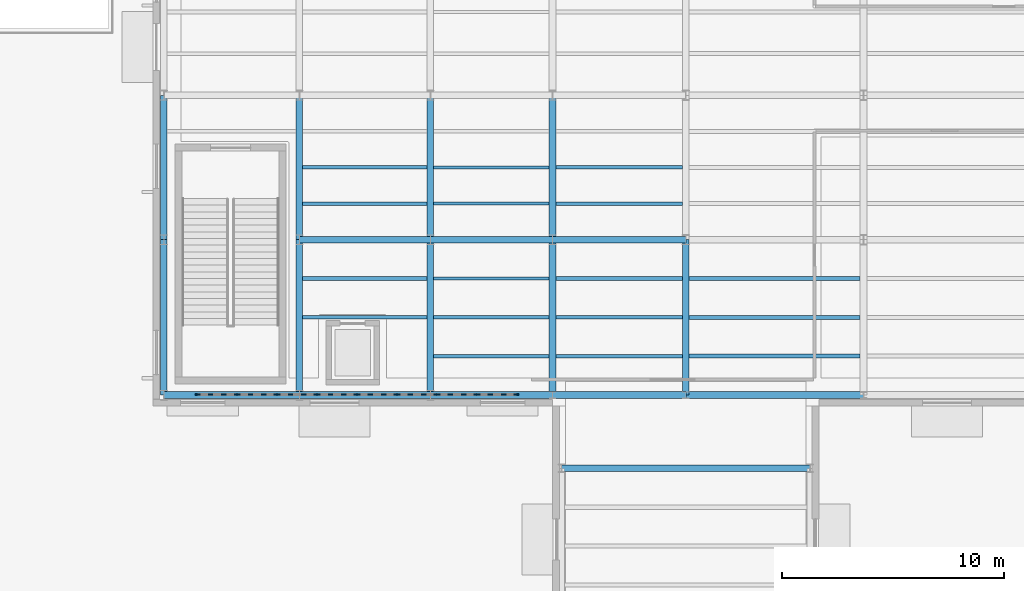
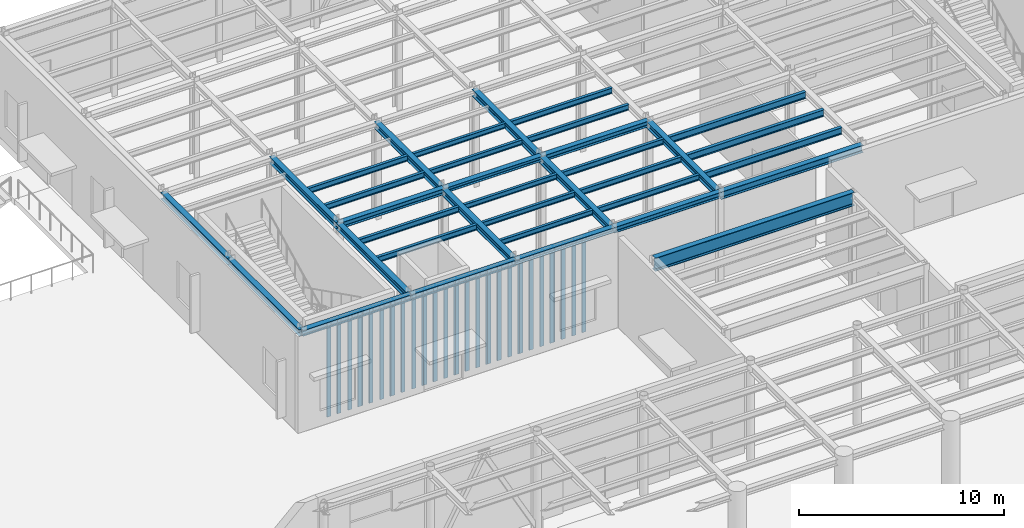
# One storey, part 32 of 118: 35 beams, 32 members, 8 elements without a shape of their own.
"""IFC4 building model written with IfcOpenShell, lengths in metres."""

from ifc_helpers import new_model, si_unit, direction, frame, origin, origin_2d, place, context, subcontext, project, spatial, rectangle, i_section, extrude, material, material_profile, profile_set, type_object, element, aggregate, save


model = new_model("IFC4")

# Units and contexts
model_context = context("Model", 3, precision=1e-05, world=origin(), true_north=direction((0.0, 1.0)))
body_context = subcontext(model_context, "Body", "Model", "MODEL_VIEW")
ifc_project = project(units=[si_unit("LENGTHUNIT", "METRE"), si_unit("AREAUNIT", "SQUARE_METRE"), si_unit("VOLUMEUNIT", "CUBIC_METRE"), si_unit("PLANEANGLEUNIT", "RADIAN"), si_unit("MASSUNIT", "GRAM", prefix="KILO")], contexts=[model_context])

# Site, building, storey
site_placement = place(None, origin())
site = spatial("IfcSite", under=ifc_project, at=site_placement, CompositionType="ELEMENT")
building_placement = place(site_placement, origin())
building = spatial("IfcBuilding", under=site, at=building_placement, Name="Kolvaren Corner Interchange", CompositionType="ELEMENT")
storey_placement = place(building_placement, origin())
storey = spatial("IfcBuildingStorey", under=building, at=storey_placement, Name="L01", CompositionType="ELEMENT", Elevation=0.0)

# Beams
ifc_material_1 = material(Name="Steel S355", Category="steel")
ifc_material_profile_1 = material_profile(ifc_material_1, i_section(OverallWidth=0.300048828125, OverallDepth=0.2900390625, WebThickness=0.008544921875, FlangeThickness=0.013916015625, FilletRadius=0.027099609375, at=origin_2d()), Name="HEA 300")
ifc_profile_set_1 = profile_set([ifc_material_profile_1], Name="Steel S355")
beam_type_1 = type_object("IfcBeamType", Name="BM-HEA300", PredefinedType="BEAM", material=ifc_profile_set_1)
for number, where, z_axis, x_axis, name in (
    (1, (78.5, 84.5, 5.594970703125), (1.0, 0.0, 0.0), (0.0, 1.0, 0.0), "Storey L01 Grid X Primary Girder 0417"),
    (2, (78.5, 91.5, 5.594970703125), (1.0, 0.0, 0.0), (0.0, 1.0, 0.0), "Storey L01 Grid X Primary Girder 0423"),
):
    element("IfcBeam", number, at=place(storey_placement, frame(where, z_axis=z_axis, x_axis=x_axis)), inside=storey, type_object=beam_type_1, Name=name, PredefinedType="BEAM", context=body_context, shape_type="SweptSolid", body=[
        extrude(i_section(OverallWidth=0.300048828125, OverallDepth=0.2900390625, WebThickness=0.008544921875, FlangeThickness=0.013916015625, FilletRadius=0.027099609375, at=origin_2d()), origin(), (0.0, 0.0, 1.0), 5.5),
    ])
ifc_material_2 = material(Name="Steel S355", Category="steel")
ifc_material_profile_2 = material_profile(ifc_material_2, i_section(OverallWidth=0.300048828125, OverallDepth=0.35009765625, WebThickness=0.010009765625, FlangeThickness=0.017578125, FilletRadius=0.027099609375, at=origin_2d()), Name="HEA 360")
ifc_profile_set_2 = profile_set([ifc_material_profile_2], Name="Steel S355")
beam_type_2 = type_object("IfcBeamType", Name="BM-HEA360", PredefinedType="BEAM", material=ifc_profile_set_2)
beam_1_placement = place(storey_placement, frame((66.5, 84.5, 5.56494140625), z_axis=(1.0, 0.0, 0.0), x_axis=(0.0, 1.0, 0.0)))
element("IfcBeam", 3, at=beam_1_placement, inside=storey, type_object=beam_type_2, Name="Storey L01 Grid X Primary Girder 0415", PredefinedType="BEAM", context=body_context, shape_type="SweptSolid", body=[
    extrude(i_section(OverallWidth=0.300048828125, OverallDepth=0.35009765625, WebThickness=0.010009765625, FlangeThickness=0.017578125, FilletRadius=0.027099609375, at=origin_2d()), origin(), (0.0, 0.0, 1.0), 6.10009765625),
])
beam_2_placement = place(storey_placement, frame((72.60009765625, 84.5, 5.56494140625), z_axis=(1.0, 0.0, 0.0), x_axis=(0.0, 1.0, 0.0)))
element("IfcBeam", 4, at=beam_2_placement, inside=storey, type_object=beam_type_2, Name="Storey L01 Grid X Primary Girder 0416", PredefinedType="BEAM", context=body_context, shape_type="SweptSolid", body=[
    extrude(i_section(OverallWidth=0.300048828125, OverallDepth=0.35009765625, WebThickness=0.010009765625, FlangeThickness=0.017578125, FilletRadius=0.027099609375, at=origin_2d()), origin(), (0.0, 0.0, 1.0), 5.89990234375),
])
beam_3_placement = place(storey_placement, frame((84.0, 84.5, 5.56494140625), z_axis=(1.0, 0.0, 0.0), x_axis=(0.0, 1.0, 0.0)))
element("IfcBeam", 5, at=beam_3_placement, inside=storey, type_object=beam_type_2, Name="Storey L01 Grid X Primary Girder 0418", PredefinedType="BEAM", context=body_context, shape_type="SweptSolid", body=[
    extrude(i_section(OverallWidth=0.300048828125, OverallDepth=0.35009765625, WebThickness=0.010009765625, FlangeThickness=0.017578125, FilletRadius=0.027099609375, at=origin_2d()), origin(), (0.0, 0.0, 1.0), 6.0),
])
beam_4_placement = place(storey_placement, frame((72.60009765625, 91.5, 5.56494140625), z_axis=(1.0, 0.0, 0.0), x_axis=(0.0, 1.0, 0.0)))
element("IfcBeam", 6, at=beam_4_placement, inside=storey, type_object=beam_type_2, Name="Storey L01 Grid X Primary Girder 0422", PredefinedType="BEAM", context=body_context, shape_type="SweptSolid", body=[
    extrude(i_section(OverallWidth=0.300048828125, OverallDepth=0.35009765625, WebThickness=0.010009765625, FlangeThickness=0.017578125, FilletRadius=0.027099609375, at=origin_2d()), origin(), (0.0, 0.0, 1.0), 5.89990234375),
])
beam_5_placement = place(storey_placement, frame((84.0, 91.5, 5.56494140625), z_axis=(1.0, 0.0, 0.0), x_axis=(0.0, 1.0, 0.0)))
element("IfcBeam", 7, at=beam_5_placement, inside=storey, type_object=beam_type_2, Name="Storey L01 Grid X Primary Girder 0424", PredefinedType="BEAM", context=body_context, shape_type="SweptSolid", body=[
    extrude(i_section(OverallWidth=0.300048828125, OverallDepth=0.35009765625, WebThickness=0.010009765625, FlangeThickness=0.017578125, FilletRadius=0.027099609375, at=origin_2d()), origin(), (0.0, 0.0, 1.0), 6.0),
])
ifc_material_3 = material(Name="Steel S355", Category="steel")
ifc_material_profile_3 = material_profile(ifc_material_3, i_section(OverallWidth=0.300048828125, OverallDepth=0.389892578125, WebThickness=0.010986328125, FlangeThickness=0.01904296875, FilletRadius=0.027099609375, at=origin_2d()), Name="HEA 400")
ifc_profile_set_3 = profile_set([ifc_material_profile_3], Name="Steel S355")
beam_type_3 = type_object("IfcBeamType", Name="BM-HEA400", PredefinedType="BEAM", material=ifc_profile_set_3)
beam_6_placement = place(storey_placement, frame((66.5, 84.5, 5.544921875), z_axis=(0.0, 1.0, 0.0), x_axis=(-1.0, 0.0, 0.0)))
element("IfcBeam", 8, at=beam_6_placement, inside=storey, type_object=beam_type_3, Name="Storey L01 Grid Y Primary Girder 0494", PredefinedType="BEAM", context=body_context, shape_type="SweptSolid", body=[
    extrude(i_section(OverallWidth=0.300048828125, OverallDepth=0.389892578125, WebThickness=0.010986328125, FlangeThickness=0.01904296875, FilletRadius=0.027099609375, at=origin_2d()), origin(), (0.0, 0.0, 1.0), 7.0),
])
beam_7_placement = place(storey_placement, frame((66.5, 91.5, 5.544921875), z_axis=(0.0, 1.0, 0.0), x_axis=(-1.0, 0.0, 0.0)))
element("IfcBeam", 9, at=beam_7_placement, inside=storey, type_object=beam_type_3, Name="Storey L01 Grid Y Primary Girder 0495", PredefinedType="BEAM", context=body_context, shape_type="SweptSolid", body=[
    extrude(i_section(OverallWidth=0.300048828125, OverallDepth=0.389892578125, WebThickness=0.010986328125, FlangeThickness=0.01904296875, FilletRadius=0.027099609375, at=origin_2d()), origin(), (0.0, 0.0, 1.0), 6.5),
])
beam_8_placement = place(storey_placement, frame((72.60009765625, 84.5, 5.544921875), z_axis=(0.0, 1.0, 0.0), x_axis=(-1.0, 0.0, 0.0)))
element("IfcBeam", 10, at=beam_8_placement, inside=storey, type_object=beam_type_3, Name="Storey L01 Grid Y Primary Girder 0498", PredefinedType="BEAM", context=body_context, shape_type="SweptSolid", body=[
    extrude(i_section(OverallWidth=0.300048828125, OverallDepth=0.389892578125, WebThickness=0.010986328125, FlangeThickness=0.01904296875, FilletRadius=0.027099609375, at=origin_2d()), origin(), (0.0, 0.0, 1.0), 7.0),
])
beam_9_placement = place(storey_placement, frame((72.60009765625, 91.5, 5.544921875), z_axis=(0.0, 1.0, 0.0), x_axis=(-1.0, 0.0, 0.0)))
element("IfcBeam", 11, at=beam_9_placement, inside=storey, type_object=beam_type_3, Name="Storey L01 Grid Y Primary Girder 0499", PredefinedType="BEAM", context=body_context, shape_type="SweptSolid", body=[
    extrude(i_section(OverallWidth=0.300048828125, OverallDepth=0.389892578125, WebThickness=0.010986328125, FlangeThickness=0.01904296875, FilletRadius=0.027099609375, at=origin_2d()), origin(), (0.0, 0.0, 1.0), 6.5),
])
beam_10_placement = place(storey_placement, frame((78.5, 84.5, 5.544921875), z_axis=(0.0, 1.0, 0.0), x_axis=(-1.0, 0.0, 0.0)))
element("IfcBeam", 12, at=beam_10_placement, inside=storey, type_object=beam_type_3, Name="Storey L01 Grid Y Primary Girder 0502", PredefinedType="BEAM", context=body_context, shape_type="SweptSolid", body=[
    extrude(i_section(OverallWidth=0.300048828125, OverallDepth=0.389892578125, WebThickness=0.010986328125, FlangeThickness=0.01904296875, FilletRadius=0.027099609375, at=origin_2d()), origin(), (0.0, 0.0, 1.0), 7.0),
])
beam_11_placement = place(storey_placement, frame((78.5, 91.5, 5.544921875), z_axis=(0.0, 1.0, 0.0), x_axis=(-1.0, 0.0, 0.0)))
element("IfcBeam", 13, at=beam_11_placement, inside=storey, type_object=beam_type_3, Name="Storey L01 Grid Y Primary Girder 0503", PredefinedType="BEAM", context=body_context, shape_type="SweptSolid", body=[
    extrude(i_section(OverallWidth=0.300048828125, OverallDepth=0.389892578125, WebThickness=0.010986328125, FlangeThickness=0.01904296875, FilletRadius=0.027099609375, at=origin_2d()), origin(), (0.0, 0.0, 1.0), 6.5),
])
beam_12_placement = place(storey_placement, frame((84.0, 84.5, 5.544921875), z_axis=(0.0, 1.0, 0.0), x_axis=(-1.0, 0.0, 0.0)))
element("IfcBeam", 14, at=beam_12_placement, inside=storey, type_object=beam_type_3, Name="Storey L01 Grid Y Primary Girder 0506", PredefinedType="BEAM", context=body_context, shape_type="SweptSolid", body=[
    extrude(i_section(OverallWidth=0.300048828125, OverallDepth=0.389892578125, WebThickness=0.010986328125, FlangeThickness=0.01904296875, FilletRadius=0.027099609375, at=origin_2d()), origin(), (0.0, 0.0, 1.0), 7.0),
])
beam_13_placement = place(storey_placement, frame((84.0, 91.5, 5.544921875), z_axis=(0.0, 1.0, 0.0), x_axis=(-1.0, 0.0, 0.0)))
element("IfcBeam", 15, at=beam_13_placement, inside=storey, type_object=beam_type_3, Name="Storey L01 Grid Y Primary Girder 0507", PredefinedType="BEAM", context=body_context, shape_type="SweptSolid", body=[
    extrude(i_section(OverallWidth=0.300048828125, OverallDepth=0.389892578125, WebThickness=0.010986328125, FlangeThickness=0.01904296875, FilletRadius=0.027099609375, at=origin_2d()), origin(), (0.0, 0.0, 1.0), 6.5),
])
beam_14_placement = place(storey_placement, frame((90.0, 84.5, 5.544921875), z_axis=(0.0, 1.0, 0.0), x_axis=(-1.0, 0.0, 0.0)))
element("IfcBeam", 16, at=beam_14_placement, inside=storey, type_object=beam_type_3, Name="Storey L01 Grid Y Primary Girder 0511", PredefinedType="BEAM", context=body_context, shape_type="SweptSolid", body=[
    extrude(i_section(OverallWidth=0.300048828125, OverallDepth=0.389892578125, WebThickness=0.010986328125, FlangeThickness=0.01904296875, FilletRadius=0.027099609375, at=origin_2d()), origin(), (0.0, 0.0, 1.0), 7.0),
])
ifc_material_4 = material(Name="Steel S355", Category="steel")
ifc_material_profile_4 = material_profile(ifc_material_4, i_section(OverallWidth=0.300048828125, OverallDepth=0.43994140625, WebThickness=0.011474609375, FlangeThickness=0.02099609375, FilletRadius=0.027099609375, at=origin_2d()), Name="HEA 450")
ifc_profile_set_4 = profile_set([ifc_material_profile_4], Name="Steel S355")
beam_type_4 = type_object("IfcBeamType", Name="BM-HEA450", PredefinedType="BEAM", material=ifc_profile_set_4)
beam_15_placement = place(storey_placement, frame((90.0, 84.5, 5.52001953125), z_axis=(1.0, 0.0, 0.0), x_axis=(0.0, 1.0, 0.0)))
element("IfcBeam", 17, at=beam_15_placement, inside=storey, type_object=beam_type_4, Name="Storey L01 Grid X Primary Girder 0419", PredefinedType="BEAM", context=body_context, shape_type="SweptSolid", body=[
    extrude(i_section(OverallWidth=0.300048828125, OverallDepth=0.43994140625, WebThickness=0.011474609375, FlangeThickness=0.02099609375, FilletRadius=0.027099609375, at=origin_2d()), origin(), (0.0, 0.0, 1.0), 8.0),
])
ifc_material_5 = material(Name="Steel S355", Category="steel")
ifc_material_profile_5 = material_profile(ifc_material_5, i_section(OverallWidth=0.300048828125, OverallDepth=0.800048828125, WebThickness=0.017578125, FlangeThickness=0.032958984375, FilletRadius=0.030029296875, at=origin_2d()), Name="HEB 800")
ifc_profile_set_5 = profile_set([ifc_material_profile_5], Name="Steel S355")
beam_type_5 = type_object("IfcBeamType", Name="BM-HEB800", PredefinedType="BEAM", material=ifc_profile_set_5)
beam_16_placement = place(storey_placement, frame((84.39990234375, 81.199951171875, 5.3798828125), z_axis=(1.0, 0.0, 0.0), x_axis=(0.0, 1.0, 0.0)))
element("IfcBeam", 18, at=beam_16_placement, inside=storey, type_object=beam_type_5, Name="Storey L01 Grid X Primary Girder 0410", PredefinedType="BEAM", context=body_context, shape_type="SweptSolid", body=[
    extrude(i_section(OverallWidth=0.300048828125, OverallDepth=0.800048828125, WebThickness=0.017578125, FlangeThickness=0.032958984375, FilletRadius=0.030029296875, at=origin_2d()), origin(), (0.0, 0.0, 1.0), 11.2001953125),
])
ifc_material_6 = material(Name="Steel S355", Category="steel")
ifc_material_profile_6 = material_profile(ifc_material_6, i_section(OverallWidth=0.14990234375, OverallDepth=0.300048828125, WebThickness=0.007080078125, FlangeThickness=0.0107421875, FilletRadius=0.014892578125, at=origin_2d()), Name="IPE 300")
ifc_profile_set_6 = profile_set([ifc_material_profile_6], Name="Steel S355")
beam_type_6 = type_object("IfcBeamType", Name="JS-IPE300", PredefinedType="JOIST", material=ifc_profile_set_6)
for number, where, z_axis, x_axis, name in (
    (19, (78.64990234375, 86.25, 5.590087890625), (1.0, 0.0, 0.0), (0.0, 1.0, 0.0), "Storey L01 Composite Floor Joist 0453"),
    (20, (78.64990234375, 88.0, 5.590087890625), (1.0, 0.0, 0.0), (0.0, 1.0, 0.0), "Storey L01 Composite Floor Joist 0454"),
    (21, (78.64990234375, 89.75, 5.590087890625), (1.0, 0.0, 0.0), (0.0, 1.0, 0.0), "Storey L01 Composite Floor Joist 0455"),
    (22, (78.64990234375, 93.125, 5.590087890625), (1.0, 0.0, 0.0), (0.0, 1.0, 0.0), "Storey L01 Composite Floor Joist 0456"),
    (23, (78.64990234375, 94.75, 5.590087890625), (1.0, 0.0, 0.0), (0.0, 1.0, 0.0), "Storey L01 Composite Floor Joist 0457"),
):
    element("IfcBeam", number, at=place(storey_placement, frame(where, z_axis=z_axis, x_axis=x_axis)), inside=storey, type_object=beam_type_6, Name=name, PredefinedType="JOIST", context=body_context, shape_type="SweptSolid", body=[
        extrude(i_section(OverallWidth=0.14990234375, OverallDepth=0.300048828125, WebThickness=0.007080078125, FlangeThickness=0.0107421875, FilletRadius=0.014892578125, at=origin_2d()), origin(), (0.0, 0.0, 1.0), 5.2001953125),
    ])
ifc_material_7 = material(Name="Steel S355", Category="steel")
ifc_material_profile_7 = material_profile(ifc_material_7, i_section(OverallWidth=0.159912109375, OverallDepth=0.330078125, WebThickness=0.007568359375, FlangeThickness=0.011474609375, FilletRadius=0.01806640625, at=origin_2d()), Name="IPE 330")
ifc_profile_set_7 = profile_set([ifc_material_profile_7], Name="Steel S355")
beam_type_7 = type_object("IfcBeamType", Name="JS-IPE330", PredefinedType="JOIST", material=ifc_profile_set_7)
for number, where, z_axis, x_axis, name in (
    (24, (72.75, 88.0, 5.574951171875), (1.0, 0.0, 0.0), (0.0, 1.0, 0.0), "Storey L01 Composite Floor Joist 0442"),
    (25, (72.75, 89.75, 5.574951171875), (1.0, 0.0, 0.0), (0.0, 1.0, 0.0), "Storey L01 Composite Floor Joist 0443"),
    (26, (72.75, 93.125, 5.574951171875), (1.0, 0.0, 0.0), (0.0, 1.0, 0.0), "Storey L01 Composite Floor Joist 0444"),
    (27, (72.75, 94.75, 5.574951171875), (1.0, 0.0, 0.0), (0.0, 1.0, 0.0), "Storey L01 Composite Floor Joist 0445"),
):
    element("IfcBeam", number, at=place(storey_placement, frame(where, z_axis=z_axis, x_axis=x_axis)), inside=storey, type_object=beam_type_7, Name=name, PredefinedType="JOIST", context=body_context, shape_type="SweptSolid", body=[
        extrude(i_section(OverallWidth=0.159912109375, OverallDepth=0.330078125, WebThickness=0.007568359375, FlangeThickness=0.011474609375, FilletRadius=0.01806640625, at=origin_2d()), origin(), (0.0, 0.0, 1.0), 5.60009765625),
    ])
for number, where, z_axis, x_axis, name in (
    (28, (84.14990234375, 86.25, 5.574951171875), (1.0, 0.0, 0.0), (0.0, 1.0, 0.0), "Storey L01 Composite Floor Joist 0465"),
    (29, (84.14990234375, 88.0, 5.574951171875), (1.0, 0.0, 0.0), (0.0, 1.0, 0.0), "Storey L01 Composite Floor Joist 0466"),
    (30, (84.14990234375, 89.75, 5.574951171875), (1.0, 0.0, 0.0), (0.0, 1.0, 0.0), "Storey L01 Composite Floor Joist 0467"),
    (31, (84.14990234375, 93.125, 5.574951171875), (1.0, 0.0, 0.0), (0.0, 1.0, 0.0), "Storey L01 Composite Floor Joist 0468"),
    (32, (84.14990234375, 94.75, 5.574951171875), (1.0, 0.0, 0.0), (0.0, 1.0, 0.0), "Storey L01 Composite Floor Joist 0469"),
):
    element("IfcBeam", number, at=place(storey_placement, frame(where, z_axis=z_axis, x_axis=x_axis)), inside=storey, type_object=beam_type_7, Name=name, PredefinedType="JOIST", context=body_context, shape_type="SweptSolid", body=[
        extrude(i_section(OverallWidth=0.159912109375, OverallDepth=0.330078125, WebThickness=0.007568359375, FlangeThickness=0.011474609375, FilletRadius=0.01806640625, at=origin_2d()), origin(), (0.0, 0.0, 1.0), 5.7001953125),
    ])
ifc_material_8 = material(Name="Steel S355", Category="steel")
ifc_material_profile_8 = material_profile(ifc_material_8, i_section(OverallWidth=0.179931640625, OverallDepth=0.39990234375, WebThickness=0.008544921875, FlangeThickness=0.013427734375, FilletRadius=0.02099609375, at=origin_2d()), Name="IPE 400")
ifc_profile_set_8 = profile_set([ifc_material_profile_8], Name="Steel S355")
beam_type_8 = type_object("IfcBeamType", Name="JS-IPE400", PredefinedType="JOIST", material=ifc_profile_set_8)
for number, where, z_axis, x_axis, name in (
    (33, (90.14990234375, 86.25, 5.5400390625), (1.0, 0.0, 0.0), (0.0, 1.0, 0.0), "Storey L01 Composite Floor Joist 0480"),
    (34, (90.14990234375, 88.0, 5.5400390625), (1.0, 0.0, 0.0), (0.0, 1.0, 0.0), "Storey L01 Composite Floor Joist 0481"),
    (35, (90.14990234375, 89.75, 5.5400390625), (1.0, 0.0, 0.0), (0.0, 1.0, 0.0), "Storey L01 Composite Floor Joist 0482"),
):
    element("IfcBeam", number, at=place(storey_placement, frame(where, z_axis=z_axis, x_axis=x_axis)), inside=storey, type_object=beam_type_8, Name=name, PredefinedType="JOIST", context=body_context, shape_type="SweptSolid", body=[
        extrude(i_section(OverallWidth=0.179931640625, OverallDepth=0.39990234375, WebThickness=0.008544921875, FlangeThickness=0.013427734375, FilletRadius=0.02099609375, at=origin_2d()), origin(), (0.0, 0.0, 1.0), 7.7001953125),
    ])

# Curtain wall, members
ifc_material_9 = material(Name="Unitised Aluminium and Solar-Control Glass Curtain Wall", Category="aluminium")
curtain_wall_type = type_object("IfcCurtainWallType", Name="CW-V3-CYCLE", PredefinedType="NOTDEFINED", material=ifc_material_9)
curtain_wall_1_placement = place(storey_placement, origin())
curtain_wall_1 = element("IfcCurtainWall", 36, at=curtain_wall_1_placement, inside=storey, type_object=curtain_wall_type, Name="Cycle Showcase Ground Curtain Wall Bay 01", PredefinedType="NOTDEFINED")
ifc_material_10 = material(Name="Anodised Aluminium Framing", Category="aluminium")
ifc_material_profile_9 = material_profile(ifc_material_10, rectangle(XDim=0.06494140625, YDim=0.219970703125, at=origin_2d()), Name="ALU 65x220")
ifc_profile_set_9 = profile_set([ifc_material_profile_9], Name="Anodised Aluminium Framing")
member_type = type_object("IfcMemberType", Name="MUL-ALU65x220", PredefinedType="MULLION", material=ifc_profile_set_9)
member_1_placement = place(storey_placement, frame((68.032470703125, 84.52001953125, 0.0), z_axis=(0.0, 0.0, 1.0), x_axis=(0.0, 1.0, 0.0)))
member_1 = element("IfcMember", 37, at=member_1_placement, type_object=member_type, Name="CW-106 mullion 1", PredefinedType="MULLION", context=body_context, shape_type="SweptSolid", body=[
    extrude(rectangle(XDim=0.06494140625, YDim=0.219970703125, at=origin_2d()), origin(), (0.0, 0.0, 1.0), 5.719970703125),
])
member_2_placement = place(storey_placement, frame((68.60009765625, 84.52001953125, 0.0), z_axis=(0.0, 0.0, 1.0), x_axis=(0.0, 1.0, 0.0)))
member_2 = element("IfcMember", 38, at=member_2_placement, type_object=member_type, Name="CW-106 mullion 2", PredefinedType="MULLION", context=body_context, shape_type="SweptSolid", body=[
    extrude(rectangle(XDim=0.06494140625, YDim=0.219970703125, at=origin_2d()), origin(), (0.0, 0.0, 1.0), 5.719970703125),
])
member_3_placement = place(storey_placement, frame((69.199951171875, 84.52001953125, 0.0), z_axis=(0.0, 0.0, 1.0), x_axis=(0.0, 1.0, 0.0)))
member_3 = element("IfcMember", 39, at=member_3_placement, type_object=member_type, Name="CW-106 mullion 3", PredefinedType="MULLION", context=body_context, shape_type="SweptSolid", body=[
    extrude(rectangle(XDim=0.06494140625, YDim=0.219970703125, at=origin_2d()), origin(), (0.0, 0.0, 1.0), 5.719970703125),
])
member_4_placement = place(storey_placement, frame((69.767578125, 84.52001953125, 0.0), z_axis=(0.0, 0.0, 1.0), x_axis=(0.0, 1.0, 0.0)))
member_4 = element("IfcMember", 40, at=member_4_placement, type_object=member_type, Name="CW-106 mullion 4", PredefinedType="MULLION", context=body_context, shape_type="SweptSolid", body=[
    extrude(rectangle(XDim=0.06494140625, YDim=0.219970703125, at=origin_2d()), origin(), (0.0, 0.0, 1.0), 5.719970703125),
])
aggregate(curtain_wall_1, [member_1, member_2, member_3, member_4])

curtain_wall_2_placement = place(storey_placement, origin())
curtain_wall_2 = element("IfcCurtainWall", 41, at=curtain_wall_2_placement, inside=storey, type_object=curtain_wall_type, Name="Cycle Showcase Ground Curtain Wall Bay 02", PredefinedType="NOTDEFINED")
member_5_placement = place(storey_placement, frame((69.83251953125, 84.52001953125, 0.0), z_axis=(0.0, 0.0, 1.0), x_axis=(0.0, 1.0, 0.0)))
member_5 = element("IfcMember", 42, at=member_5_placement, type_object=member_type, Name="CW-107 mullion 1", PredefinedType="MULLION", context=body_context, shape_type="SweptSolid", body=[
    extrude(rectangle(XDim=0.06494140625, YDim=0.219970703125, at=origin_2d()), origin(), (0.0, 0.0, 1.0), 5.719970703125),
])
member_6_placement = place(storey_placement, frame((70.39990234375, 84.52001953125, 0.0), z_axis=(0.0, 0.0, 1.0), x_axis=(0.0, 1.0, 0.0)))
member_6 = element("IfcMember", 43, at=member_6_placement, type_object=member_type, Name="CW-107 mullion 2", PredefinedType="MULLION", context=body_context, shape_type="SweptSolid", body=[
    extrude(rectangle(XDim=0.06494140625, YDim=0.219970703125, at=origin_2d()), origin(), (0.0, 0.0, 1.0), 5.719970703125),
])
member_7_placement = place(storey_placement, frame((71.0, 84.52001953125, 0.0), z_axis=(0.0, 0.0, 1.0), x_axis=(0.0, 1.0, 0.0)))
member_7 = element("IfcMember", 44, at=member_7_placement, type_object=member_type, Name="CW-107 mullion 3", PredefinedType="MULLION", context=body_context, shape_type="SweptSolid", body=[
    extrude(rectangle(XDim=0.06494140625, YDim=0.219970703125, at=origin_2d()), origin(), (0.0, 0.0, 1.0), 5.719970703125),
])
member_8_placement = place(storey_placement, frame((71.5673828125, 84.52001953125, 0.0), z_axis=(0.0, 0.0, 1.0), x_axis=(0.0, 1.0, 0.0)))
member_8 = element("IfcMember", 45, at=member_8_placement, type_object=member_type, Name="CW-107 mullion 4", PredefinedType="MULLION", context=body_context, shape_type="SweptSolid", body=[
    extrude(rectangle(XDim=0.06494140625, YDim=0.219970703125, at=origin_2d()), origin(), (0.0, 0.0, 1.0), 5.719970703125),
])
aggregate(curtain_wall_2, [member_5, member_6, member_7, member_8])

curtain_wall_3_placement = place(storey_placement, origin())
curtain_wall_3 = element("IfcCurtainWall", 46, at=curtain_wall_3_placement, inside=storey, type_object=curtain_wall_type, Name="Cycle Showcase Ground Curtain Wall Bay 03", PredefinedType="NOTDEFINED")
member_9_placement = place(storey_placement, frame((71.632568359375, 84.52001953125, 0.0), z_axis=(0.0, 0.0, 1.0), x_axis=(0.0, 1.0, 0.0)))
member_9 = element("IfcMember", 47, at=member_9_placement, type_object=member_type, Name="CW-108 mullion 1", PredefinedType="MULLION", context=body_context, shape_type="SweptSolid", body=[
    extrude(rectangle(XDim=0.06494140625, YDim=0.219970703125, at=origin_2d()), origin(), (0.0, 0.0, 1.0), 5.719970703125),
])
member_10_placement = place(storey_placement, frame((72.199951171875, 84.52001953125, 0.0), z_axis=(0.0, 0.0, 1.0), x_axis=(0.0, 1.0, 0.0)))
member_10 = element("IfcMember", 48, at=member_10_placement, type_object=member_type, Name="CW-108 mullion 2", PredefinedType="MULLION", context=body_context, shape_type="SweptSolid", body=[
    extrude(rectangle(XDim=0.06494140625, YDim=0.219970703125, at=origin_2d()), origin(), (0.0, 0.0, 1.0), 5.719970703125),
])
member_11_placement = place(storey_placement, frame((72.800048828125, 84.52001953125, 0.0), z_axis=(0.0, 0.0, 1.0), x_axis=(0.0, 1.0, 0.0)))
member_11 = element("IfcMember", 49, at=member_11_placement, type_object=member_type, Name="CW-108 mullion 3", PredefinedType="MULLION", context=body_context, shape_type="SweptSolid", body=[
    extrude(rectangle(XDim=0.06494140625, YDim=0.219970703125, at=origin_2d()), origin(), (0.0, 0.0, 1.0), 5.719970703125),
])
member_12_placement = place(storey_placement, frame((73.367431640625, 84.52001953125, 0.0), z_axis=(0.0, 0.0, 1.0), x_axis=(0.0, 1.0, 0.0)))
member_12 = element("IfcMember", 50, at=member_12_placement, type_object=member_type, Name="CW-108 mullion 4", PredefinedType="MULLION", context=body_context, shape_type="SweptSolid", body=[
    extrude(rectangle(XDim=0.06494140625, YDim=0.219970703125, at=origin_2d()), origin(), (0.0, 0.0, 1.0), 5.719970703125),
])
aggregate(curtain_wall_3, [member_9, member_10, member_11, member_12])

curtain_wall_4_placement = place(storey_placement, origin())
curtain_wall_4 = element("IfcCurtainWall", 51, at=curtain_wall_4_placement, inside=storey, type_object=curtain_wall_type, Name="Cycle Showcase Ground Curtain Wall Bay 04", PredefinedType="NOTDEFINED")
member_13_placement = place(storey_placement, frame((73.4326171875, 84.52001953125, 0.0), z_axis=(0.0, 0.0, 1.0), x_axis=(0.0, 1.0, 0.0)))
member_13 = element("IfcMember", 52, at=member_13_placement, type_object=member_type, Name="CW-109 mullion 1", PredefinedType="MULLION", context=body_context, shape_type="SweptSolid", body=[
    extrude(rectangle(XDim=0.06494140625, YDim=0.219970703125, at=origin_2d()), origin(), (0.0, 0.0, 1.0), 5.719970703125),
])
member_14_placement = place(storey_placement, frame((74.0, 84.52001953125, 0.0), z_axis=(0.0, 0.0, 1.0), x_axis=(0.0, 1.0, 0.0)))
member_14 = element("IfcMember", 53, at=member_14_placement, type_object=member_type, Name="CW-109 mullion 2", PredefinedType="MULLION", context=body_context, shape_type="SweptSolid", body=[
    extrude(rectangle(XDim=0.06494140625, YDim=0.219970703125, at=origin_2d()), origin(), (0.0, 0.0, 1.0), 5.719970703125),
])
member_15_placement = place(storey_placement, frame((74.60009765625, 84.52001953125, 0.0), z_axis=(0.0, 0.0, 1.0), x_axis=(0.0, 1.0, 0.0)))
member_15 = element("IfcMember", 54, at=member_15_placement, type_object=member_type, Name="CW-109 mullion 3", PredefinedType="MULLION", context=body_context, shape_type="SweptSolid", body=[
    extrude(rectangle(XDim=0.06494140625, YDim=0.219970703125, at=origin_2d()), origin(), (0.0, 0.0, 1.0), 5.719970703125),
])
member_16_placement = place(storey_placement, frame((75.16748046875, 84.52001953125, 0.0), z_axis=(0.0, 0.0, 1.0), x_axis=(0.0, 1.0, 0.0)))
member_16 = element("IfcMember", 55, at=member_16_placement, type_object=member_type, Name="CW-109 mullion 4", PredefinedType="MULLION", context=body_context, shape_type="SweptSolid", body=[
    extrude(rectangle(XDim=0.06494140625, YDim=0.219970703125, at=origin_2d()), origin(), (0.0, 0.0, 1.0), 5.719970703125),
])
aggregate(curtain_wall_4, [member_13, member_14, member_15, member_16])

curtain_wall_5_placement = place(storey_placement, origin())
curtain_wall_5 = element("IfcCurtainWall", 56, at=curtain_wall_5_placement, inside=storey, type_object=curtain_wall_type, Name="Cycle Showcase Ground Curtain Wall Bay 05", PredefinedType="NOTDEFINED")
member_17_placement = place(storey_placement, frame((75.232421875, 84.52001953125, 0.0), z_axis=(0.0, 0.0, 1.0), x_axis=(0.0, 1.0, 0.0)))
member_17 = element("IfcMember", 57, at=member_17_placement, type_object=member_type, Name="CW-110 mullion 1", PredefinedType="MULLION", context=body_context, shape_type="SweptSolid", body=[
    extrude(rectangle(XDim=0.06494140625, YDim=0.219970703125, at=origin_2d()), origin(), (0.0, 0.0, 1.0), 5.719970703125),
])
member_18_placement = place(storey_placement, frame((75.800048828125, 84.52001953125, 0.0), z_axis=(0.0, 0.0, 1.0), x_axis=(0.0, 1.0, 0.0)))
member_18 = element("IfcMember", 58, at=member_18_placement, type_object=member_type, Name="CW-110 mullion 2", PredefinedType="MULLION", context=body_context, shape_type="SweptSolid", body=[
    extrude(rectangle(XDim=0.06494140625, YDim=0.219970703125, at=origin_2d()), origin(), (0.0, 0.0, 1.0), 5.719970703125),
])
member_19_placement = place(storey_placement, frame((76.39990234375, 84.52001953125, 0.0), z_axis=(0.0, 0.0, 1.0), x_axis=(0.0, 1.0, 0.0)))
member_19 = element("IfcMember", 59, at=member_19_placement, type_object=member_type, Name="CW-110 mullion 3", PredefinedType="MULLION", context=body_context, shape_type="SweptSolid", body=[
    extrude(rectangle(XDim=0.06494140625, YDim=0.219970703125, at=origin_2d()), origin(), (0.0, 0.0, 1.0), 5.719970703125),
])
member_20_placement = place(storey_placement, frame((76.967529296875, 84.52001953125, 0.0), z_axis=(0.0, 0.0, 1.0), x_axis=(0.0, 1.0, 0.0)))
member_20 = element("IfcMember", 60, at=member_20_placement, type_object=member_type, Name="CW-110 mullion 4", PredefinedType="MULLION", context=body_context, shape_type="SweptSolid", body=[
    extrude(rectangle(XDim=0.06494140625, YDim=0.219970703125, at=origin_2d()), origin(), (0.0, 0.0, 1.0), 5.719970703125),
])
aggregate(curtain_wall_5, [member_17, member_18, member_19, member_20])

curtain_wall_6_placement = place(storey_placement, origin())
curtain_wall_6 = element("IfcCurtainWall", 61, at=curtain_wall_6_placement, inside=storey, type_object=curtain_wall_type, Name="Cycle Showcase Ground Curtain Wall Bay 06", PredefinedType="NOTDEFINED")
member_21_placement = place(storey_placement, frame((77.032470703125, 84.52001953125, 0.0), z_axis=(0.0, 0.0, 1.0), x_axis=(0.0, 1.0, 0.0)))
member_21 = element("IfcMember", 62, at=member_21_placement, type_object=member_type, Name="CW-111 mullion 1", PredefinedType="MULLION", context=body_context, shape_type="SweptSolid", body=[
    extrude(rectangle(XDim=0.06494140625, YDim=0.219970703125, at=origin_2d()), origin(), (0.0, 0.0, 1.0), 5.719970703125),
])
member_22_placement = place(storey_placement, frame((77.60009765625, 84.52001953125, 0.0), z_axis=(0.0, 0.0, 1.0), x_axis=(0.0, 1.0, 0.0)))
member_22 = element("IfcMember", 63, at=member_22_placement, type_object=member_type, Name="CW-111 mullion 2", PredefinedType="MULLION", context=body_context, shape_type="SweptSolid", body=[
    extrude(rectangle(XDim=0.06494140625, YDim=0.219970703125, at=origin_2d()), origin(), (0.0, 0.0, 1.0), 5.719970703125),
])
member_23_placement = place(storey_placement, frame((78.199951171875, 84.52001953125, 0.0), z_axis=(0.0, 0.0, 1.0), x_axis=(0.0, 1.0, 0.0)))
member_23 = element("IfcMember", 64, at=member_23_placement, type_object=member_type, Name="CW-111 mullion 3", PredefinedType="MULLION", context=body_context, shape_type="SweptSolid", body=[
    extrude(rectangle(XDim=0.06494140625, YDim=0.219970703125, at=origin_2d()), origin(), (0.0, 0.0, 1.0), 5.719970703125),
])
member_24_placement = place(storey_placement, frame((78.767578125, 84.52001953125, 0.0), z_axis=(0.0, 0.0, 1.0), x_axis=(0.0, 1.0, 0.0)))
member_24 = element("IfcMember", 65, at=member_24_placement, type_object=member_type, Name="CW-111 mullion 4", PredefinedType="MULLION", context=body_context, shape_type="SweptSolid", body=[
    extrude(rectangle(XDim=0.06494140625, YDim=0.219970703125, at=origin_2d()), origin(), (0.0, 0.0, 1.0), 5.719970703125),
])
aggregate(curtain_wall_6, [member_21, member_22, member_23, member_24])

curtain_wall_7_placement = place(storey_placement, origin())
curtain_wall_7 = element("IfcCurtainWall", 66, at=curtain_wall_7_placement, inside=storey, type_object=curtain_wall_type, Name="Cycle Showcase Ground Curtain Wall Bay 07", PredefinedType="NOTDEFINED")
member_25_placement = place(storey_placement, frame((78.83251953125, 84.52001953125, 0.0), z_axis=(0.0, 0.0, 1.0), x_axis=(0.0, 1.0, 0.0)))
member_25 = element("IfcMember", 67, at=member_25_placement, type_object=member_type, Name="CW-112 mullion 1", PredefinedType="MULLION", context=body_context, shape_type="SweptSolid", body=[
    extrude(rectangle(XDim=0.06494140625, YDim=0.219970703125, at=origin_2d()), origin(), (0.0, 0.0, 1.0), 5.719970703125),
])
member_26_placement = place(storey_placement, frame((79.39990234375, 84.52001953125, 0.0), z_axis=(0.0, 0.0, 1.0), x_axis=(0.0, 1.0, 0.0)))
member_26 = element("IfcMember", 68, at=member_26_placement, type_object=member_type, Name="CW-112 mullion 2", PredefinedType="MULLION", context=body_context, shape_type="SweptSolid", body=[
    extrude(rectangle(XDim=0.06494140625, YDim=0.219970703125, at=origin_2d()), origin(), (0.0, 0.0, 1.0), 5.719970703125),
])
member_27_placement = place(storey_placement, frame((80.0, 84.52001953125, 0.0), z_axis=(0.0, 0.0, 1.0), x_axis=(0.0, 1.0, 0.0)))
member_27 = element("IfcMember", 69, at=member_27_placement, type_object=member_type, Name="CW-112 mullion 3", PredefinedType="MULLION", context=body_context, shape_type="SweptSolid", body=[
    extrude(rectangle(XDim=0.06494140625, YDim=0.219970703125, at=origin_2d()), origin(), (0.0, 0.0, 1.0), 5.719970703125),
])
member_28_placement = place(storey_placement, frame((80.5673828125, 84.52001953125, 0.0), z_axis=(0.0, 0.0, 1.0), x_axis=(0.0, 1.0, 0.0)))
member_28 = element("IfcMember", 70, at=member_28_placement, type_object=member_type, Name="CW-112 mullion 4", PredefinedType="MULLION", context=body_context, shape_type="SweptSolid", body=[
    extrude(rectangle(XDim=0.06494140625, YDim=0.219970703125, at=origin_2d()), origin(), (0.0, 0.0, 1.0), 5.719970703125),
])
aggregate(curtain_wall_7, [member_25, member_26, member_27, member_28])

curtain_wall_8_placement = place(storey_placement, origin())
curtain_wall_8 = element("IfcCurtainWall", 71, at=curtain_wall_8_placement, inside=storey, type_object=curtain_wall_type, Name="Cycle Showcase Ground Curtain Wall Bay 08", PredefinedType="NOTDEFINED")
member_29_placement = place(storey_placement, frame((80.632568359375, 84.52001953125, 0.0), z_axis=(0.0, 0.0, 1.0), x_axis=(0.0, 1.0, 0.0)))
member_29 = element("IfcMember", 72, at=member_29_placement, type_object=member_type, Name="CW-113 mullion 1", PredefinedType="MULLION", context=body_context, shape_type="SweptSolid", body=[
    extrude(rectangle(XDim=0.06494140625, YDim=0.219970703125, at=origin_2d()), origin(), (0.0, 0.0, 1.0), 5.719970703125),
])
member_30_placement = place(storey_placement, frame((81.199951171875, 84.52001953125, 0.0), z_axis=(0.0, 0.0, 1.0), x_axis=(0.0, 1.0, 0.0)))
member_30 = element("IfcMember", 73, at=member_30_placement, type_object=member_type, Name="CW-113 mullion 2", PredefinedType="MULLION", context=body_context, shape_type="SweptSolid", body=[
    extrude(rectangle(XDim=0.06494140625, YDim=0.219970703125, at=origin_2d()), origin(), (0.0, 0.0, 1.0), 5.719970703125),
])
member_31_placement = place(storey_placement, frame((81.800048828125, 84.52001953125, 0.0), z_axis=(0.0, 0.0, 1.0), x_axis=(0.0, 1.0, 0.0)))
member_31 = element("IfcMember", 74, at=member_31_placement, type_object=member_type, Name="CW-113 mullion 3", PredefinedType="MULLION", context=body_context, shape_type="SweptSolid", body=[
    extrude(rectangle(XDim=0.06494140625, YDim=0.219970703125, at=origin_2d()), origin(), (0.0, 0.0, 1.0), 5.719970703125),
])
member_32_placement = place(storey_placement, frame((82.367431640625, 84.52001953125, 0.0), z_axis=(0.0, 0.0, 1.0), x_axis=(0.0, 1.0, 0.0)))
member_32 = element("IfcMember", 75, at=member_32_placement, type_object=member_type, Name="CW-113 mullion 4", PredefinedType="MULLION", context=body_context, shape_type="SweptSolid", body=[
    extrude(rectangle(XDim=0.06494140625, YDim=0.219970703125, at=origin_2d()), origin(), (0.0, 0.0, 1.0), 5.719970703125),
])
aggregate(curtain_wall_8, [member_29, member_30, member_31, member_32])

save(model, "model.ifc")
